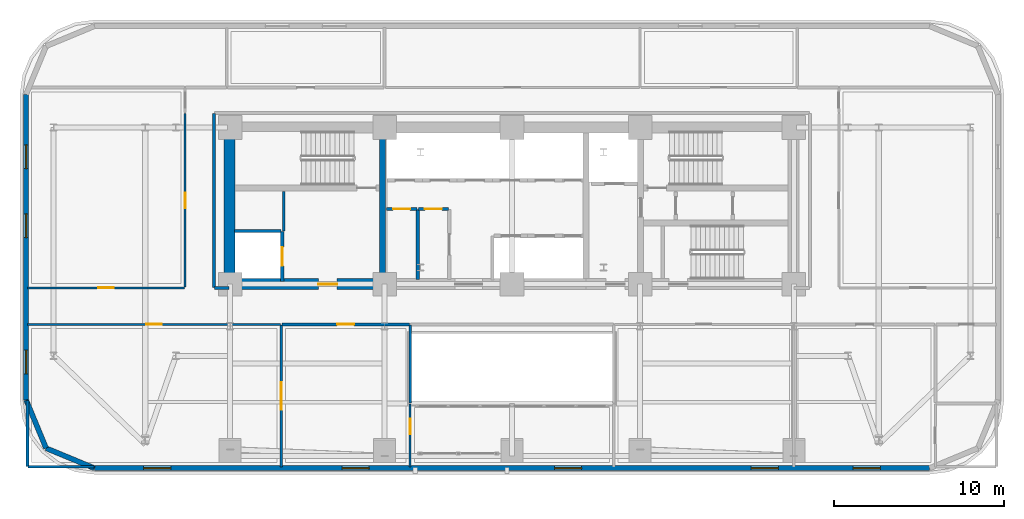
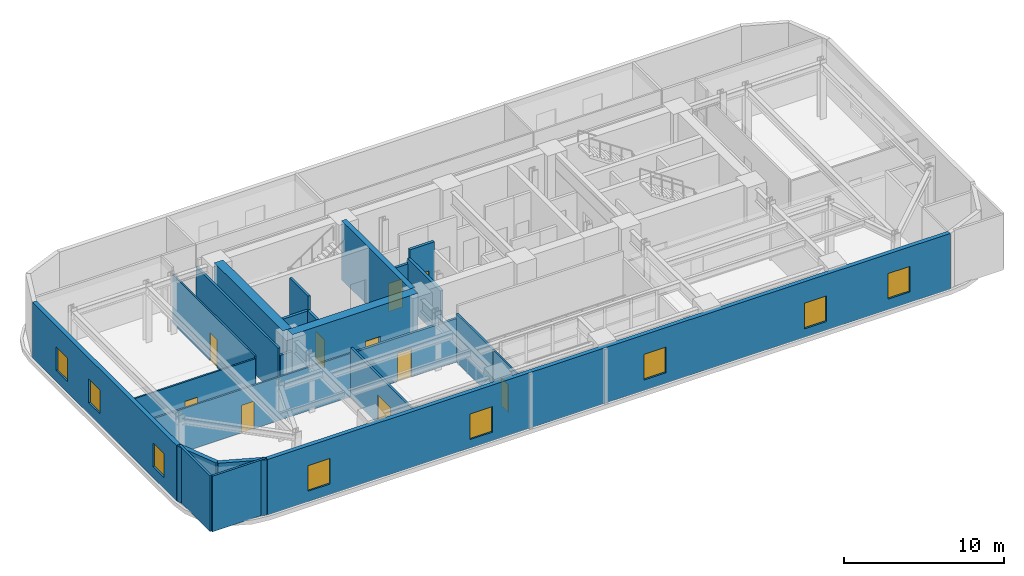
# One storey, part 8 of 14: 24 walls, 10 doors, 8 windows, 18 openings.
"""IFC4 building model written with IfcOpenShell, lengths in metres."""

import ifcopenshell
import ifcopenshell.guid

model = None  # the IFC model being written
_history = None  # IfcOwnerHistory: only IFC2X3 demands one
_inside = {}  # id of a spatial element -> (the spatial element, [elements in it])
_under = {}  # id of a project, library or spatial element -> (it, [spatial elements below it])
_declared = {}  # id of a project -> (the project, [libraries it declares])
_typed = {}  # id of a type object -> (the type object, [elements of that type])
_made_of = {}  # id of a material, layer set ... -> (it, [elements and type objects made of it])


def new_model(schema):
    """Start an empty IFC model of exactly this schema.

    Asked for "IFC4X3", IfcOpenShell would pick the latest addendum, in which some entities
    have other attributes; the version numbers below select the first issue.
    IFC2X3 requires an IfcOwnerHistory on every rooted entity: one is made here for all.
    """
    global model, _history
    if schema == "IFC4X3":
        model = ifcopenshell.file(schema_version=(4, 3, 0, 0))
    else:
        model = ifcopenshell.file(schema=schema)
    _inside.clear()
    _under.clear()
    _declared.clear()
    _typed.clear()
    _made_of.clear()
    _history = None
    if model.schema == "IFC2X3":
        org = make("IfcOrganization", Name="unknown")
        user = make(
            "IfcPersonAndOrganization",
            ThePerson=make("IfcPerson", FamilyName="unknown"),
            TheOrganization=org,
        )
        app = make(
            "IfcApplication",
            ApplicationDeveloper=org,
            Version="unknown",
            ApplicationFullName="unknown",
            ApplicationIdentifier="unknown",
        )
        _history = make(
            "IfcOwnerHistory",
            OwningUser=user,
            OwningApplication=app,
            ChangeAction="ADDED",
            CreationDate=0,
        )
    return model


def make(cls, **values):
    """One entity of the class cls with the attributes given. An attribute that is None is left unset."""
    return model.create_entity(
        cls, **{name: value for name, value in values.items() if value is not None}
    )


def rooted(cls, **values):
    """An entity with a GlobalId (a new one), such as an element, a storey or a relation."""
    return make(cls, GlobalId=ifcopenshell.guid.new(), OwnerHistory=_history, **values)


def si_unit(unit_type, name, prefix=None):
    """IfcSIUnit, for example si_unit("LENGTHUNIT", "METRE", prefix="MILLI")."""
    return make("IfcSIUnit", UnitType=unit_type, Prefix=prefix, Name=name)


def assignment(units):
    """IfcUnitAssignment: the units of a project."""
    return None if units is None else make("IfcUnitAssignment", Units=units)


def point(xyz):
    """IfcCartesianPoint."""
    return None if xyz is None else make("IfcCartesianPoint", Coordinates=xyz)


def direction(xyz):
    """IfcDirection."""
    return None if xyz is None else make("IfcDirection", DirectionRatios=xyz)


def frame(location, z_axis=None, x_axis=None):
    """IfcAxis2Placement3D, a coordinate frame: its origin and axes. An axis left out is left unset."""
    return make(
        "IfcAxis2Placement3D",
        Location=point(location),
        Axis=direction(z_axis),
        RefDirection=direction(x_axis),
    )


def frame_2d(location, x_axis=None):
    """IfcAxis2Placement2D, a coordinate frame in the plane: its origin and x axis."""
    return make(
        "IfcAxis2Placement2D", Location=point(location), RefDirection=direction(x_axis)
    )


def origin():
    """The frame at (0, 0, 0) with its axes left unset."""
    return frame((0.0, 0.0, 0.0))


def place(relative_to, where):
    """IfcLocalPlacement: puts the frame where relative to a parent placement (None: the world)."""
    return make(
        "IfcLocalPlacement", PlacementRelTo=relative_to, RelativePlacement=where
    )


def context(
    kind, dimensions, precision=None, world=None, true_north=None, identifier=None
):
    """IfcGeometricRepresentationContext, for example the 3D "Model" context."""
    return make(
        "IfcGeometricRepresentationContext",
        ContextIdentifier=identifier,
        ContextType=kind,
        CoordinateSpaceDimension=dimensions,
        Precision=precision,
        WorldCoordinateSystem=world,
        TrueNorth=true_north,
    )


def subcontext(parent, identifier, kind, view, scale=None):
    """IfcGeometricRepresentationSubContext, for example "Body" below "Model"."""
    return make(
        "IfcGeometricRepresentationSubContext",
        ContextIdentifier=identifier,
        ContextType=kind,
        ParentContext=parent,
        TargetScale=scale,
        TargetView=view,
    )


def project(units=None, contexts=None):
    """IfcProject with its units and contexts."""
    return rooted(
        "IfcProject",
        Name="project",
        RepresentationContexts=contexts,
        UnitsInContext=assignment(units),
    )


def spatial(cls, under=None, at=None, **own):
    """A site, building, storey or space (cls), placed at a placement, below another one or the project."""
    s = rooted(cls, ObjectPlacement=at, **own)
    if under is not None:
        _under.setdefault(under.id(), (under, []))[1].append(s)
    return s


def profile(cls, at=None, kind="AREA", **sizes):
    """A parametric profile (cls). Its sizes go by their IFC names, for example OverallWidth=200.0."""
    return make(cls, ProfileType=kind, Position=at, **sizes)


def rectangle(**sizes):
    """IfcRectangleProfileDef."""
    return profile("IfcRectangleProfileDef", **sizes)


def extrude(swept, where, along, depth):
    """IfcExtrudedAreaSolid: the profile swept, set in the frame where, extruded along a direction by depth."""
    return make(
        "IfcExtrudedAreaSolid",
        SweptArea=swept,
        Position=where,
        ExtrudedDirection=direction(along),
        Depth=depth,
    )


def shape(context_of_items, identifier, shape_type, items):
    """IfcShapeRepresentation: the items that make up one representation, for example the "Body"."""
    return make(
        "IfcShapeRepresentation",
        ContextOfItems=context_of_items,
        RepresentationIdentifier=identifier,
        RepresentationType=shape_type,
        Items=items,
    )


def material(Name=None, Category=None):
    """IfcMaterial."""
    return make("IfcMaterial", Name=Name, Category=Category)


def layer(
    of_material, thickness, ventilated=None, Name=None, Category=None, Priority=None
):
    """IfcMaterialLayer: one layer of a wall or slab, of a material (None: an air gap)."""
    return make(
        "IfcMaterialLayer",
        Material=of_material,
        LayerThickness=thickness,
        IsVentilated=ventilated,
        Name=Name,
        Category=Category,
        Priority=Priority,
    )


def layer_set(layers, Name=None):
    """IfcMaterialLayerSet."""
    return make("IfcMaterialLayerSet", MaterialLayers=layers, LayerSetName=Name)


def made_of(thing, what):
    """Note that an element or type object is made of a material, layer set ...; save() writes the relation."""
    if what is not None:
        _made_of.setdefault(what.id(), (what, []))[1].append(thing)
    return thing


def type_object(cls, material=None, **own):
    """A type object (cls), such as IfcWallType, which elements share."""
    return made_of(rooted(cls, **own), material)


def element(
    cls,
    number,
    at=None,
    inside=None,
    cuts=None,
    type_object=None,
    material=None,
    context=None,
    identifier="Body",
    shape_type=None,
    held_by="IfcProductDefinitionShape",
    body=None,
    shapes=None,
    **own,
):
    """One element of the class cls, such as IfcWall. Its Tag is "e" and its number.

    at: its placement. inside: the storey or other place that contains it. cuts: it is an
    opening in that element (IfcRelVoidsElement). A single representation is given by context,
    identifier, shape_type and body (its items); several are given by shapes. held_by: the class
    of the entity that holds the representations. save() writes the other relations.
    """
    e = rooted(cls, Tag="e%d" % number, ObjectPlacement=at, **own)
    if body is not None:
        shapes = [shape(context, identifier, shape_type, body)]
    if shapes is not None:
        e.Representation = make(held_by, Representations=shapes)
    if inside is not None:
        _inside.setdefault(inside.id(), (inside, []))[1].append(e)
    if cuts is not None:
        rooted(
            "IfcRelVoidsElement", RelatingBuildingElement=cuts, RelatedOpeningElement=e
        )
    if type_object is not None:
        _typed.setdefault(type_object.id(), (type_object, []))[1].append(e)
    return made_of(e, material)


def fill(opening, filler):
    """IfcRelFillsElement: the door or window that sits in an opening."""
    return rooted(
        "IfcRelFillsElement",
        RelatingOpeningElement=opening,
        RelatedBuildingElement=filler,
    )


def aggregate(whole, parts):
    """IfcRelAggregates: a whole, such as a stair, and the parts it consists of."""
    return rooted("IfcRelAggregates", RelatingObject=whole, RelatedObjects=parts)


def save(model, path):
    """Write the relations noted so far, then the file.

    IfcRelAggregates (storeys below a building ...), IfcRelContainedInSpatialStructure (elements
    in a storey), IfcRelDefinesByType, IfcRelAssociatesMaterial and IfcRelDeclares: one each for
    every whole, place, type object, material and project.
    """
    for whole, parts in _under.values():
        aggregate(whole, parts)
    for where, things in _inside.values():
        rooted(
            "IfcRelContainedInSpatialStructure",
            RelatedElements=things,
            RelatingStructure=where,
        )
    for kind, things in _typed.values():
        rooted("IfcRelDefinesByType", RelatedObjects=things, RelatingType=kind)
    for what, things in _made_of.values():
        rooted("IfcRelAssociatesMaterial", RelatedObjects=things, RelatingMaterial=what)
    for by, libraries in _declared.values():
        rooted("IfcRelDeclares", RelatingContext=by, RelatedDefinitions=libraries)
    model.write(path)


model = new_model("IFC4")

# Units and contexts
model_context = context("Model", 3, precision=1e-05, world=origin(), true_north=direction((0.0, 1.0)))
body_context = subcontext(model_context, "Body", "Model", "MODEL_VIEW")
ifc_project = project(units=[si_unit("LENGTHUNIT", "METRE"), si_unit("AREAUNIT", "SQUARE_METRE"), si_unit("VOLUMEUNIT", "CUBIC_METRE"), si_unit("PLANEANGLEUNIT", "RADIAN"), si_unit("MASSUNIT", "GRAM", prefix="KILO")], contexts=[model_context])

# Site, building, storey
site_placement = place(None, origin())
site = spatial("IfcSite", under=ifc_project, at=site_placement, CompositionType="ELEMENT")
building_placement = place(site_placement, origin())
building = spatial("IfcBuilding", under=site, at=building_placement, Name="Zarnavel Station Tower", CompositionType="ELEMENT")
storey_placement = place(building_placement, frame((0.0, 0.0, 89.800048828125)))
storey = spatial("IfcBuildingStorey", under=building, at=storey_placement, Name="L24", CompositionType="ELEMENT", Elevation=89.800048828125)

# Wall
ifc_material_1 = material(Name="Concrete C50/60", Category="concrete")
ifc_layer_1 = layer(ifc_material_1, 0.35009765625)
ifc_layer_set_1 = layer_set([ifc_layer_1], Name="CW_350")
wall_type_1 = type_object("IfcWallType", Name="CW_350", PredefinedType="SHEAR", material=ifc_layer_set_1)
wall_1_placement = place(storey_placement, frame((21.179931640625, 28.14501953125, 0.0), z_axis=(0.0, 0.0, 1.0), x_axis=(0.0, 1.0, 0.0)))
element("IfcWall", 1, at=wall_1_placement, inside=storey, type_object=wall_type_1, Name="L24 Rear Core Shear Wall DIV-W", PredefinedType="SHEAR", context=body_context, shape_type="SweptSolid", body=[
    extrude(rectangle(XDim=8.580078125, YDim=0.35009765625, at=frame_2d((4.2900390625, 0.0))), origin(), (0.0, 0.0, 1.0), 4.5),
])

# Wall, opening, door
ifc_material_2 = material(Name="Concrete C60/75", Category="concrete")
ifc_layer_2 = layer(ifc_material_2, 0.64990234375)
ifc_layer_set_2 = layer_set([ifc_layer_2], Name="CW_650")
wall_type_2 = type_object("IfcWallType", Name="CW_650", PredefinedType="SHEAR", material=ifc_layer_set_2)
wall_2_placement = place(storey_placement, frame((21.179931640625, 27.820068359375, 0.0), z_axis=(0.0, 0.0, 1.0), x_axis=(-1.0, 0.0, 0.0)))
wall_2 = element("IfcWall", 2, at=wall_2_placement, inside=storey, type_object=wall_type_2, Name="L24 Rear Core Shear Wall S-W", PredefinedType="SHEAR", context=body_context, shape_type="SweptSolid", body=[
    extrude(rectangle(XDim=9.030029296875, YDim=0.64990234375, at=frame_2d((4.51513671875, 0.0))), origin(), (0.0, 0.0, 1.0), 4.5),
])
opening_1_placement = place(wall_2_placement, frame((2.679931640625, 0.0, 0.0)))
opening_1 = element("IfcOpeningElement", 3, at=opening_1_placement, cuts=wall_2, Name="Opening FD01", PredefinedType="OPENING", context=body_context, shape_type="SweptSolid", body=[
    extrude(rectangle(XDim=1.10009765625, YDim=2.14990234375, at=frame_2d((0.550048828125, 1.074951171875))), frame((0.0, 0.3349609375, 0.0), z_axis=(0.0, -1.0, 0.0), x_axis=(1.0, 0.0, 0.0)), (0.0, 0.0, 1.0), 0.669921875),
])
ifc_material_3 = material(Name="Painted Galvanised Steel and Hardwood Leaf", Category="steel")
door_type_1 = type_object("IfcDoorType", Name="ID_STAIR_1100", OperationType="NOTDEFINED", PredefinedType="DOOR", material=ifc_material_3)
door_1_placement = place(opening_1_placement, origin())
door_1 = element("IfcDoor", 4, at=door_1_placement, inside=storey, type_object=door_type_1, Name="L24 West Firefighting Lobby Door", OperationType="SINGLE_SWING_RIGHT", OverallHeight=2.14990234375, OverallWidth=1.10009765625, PredefinedType="DOOR", context=body_context, shape_type="SweptSolid", body=[
    extrude(rectangle(XDim=1.10009765625, YDim=2.14990234375, at=frame_2d((0.550048828125, 1.074951171875))), frame((0.0, 0.02490234375, 0.0), z_axis=(0.0, -1.0, 0.0), x_axis=(1.0, 0.0, 0.0)), (0.0, 0.0, 1.0), 0.050048828125),
])
fill(opening_1, door_1)

# Wall
wall_3_placement = place(storey_placement, frame((12.14990234375, 28.14501953125, 0.0), z_axis=(0.0, 0.0, 1.0), x_axis=(0.0, 1.0, 0.0)))
element("IfcWall", 5, at=wall_3_placement, inside=storey, type_object=wall_type_2, Name="L24 Rear Core Shear Wall W", PredefinedType="SHEAR", context=body_context, shape_type="SweptSolid", body=[
    extrude(rectangle(XDim=8.580078125, YDim=0.64990234375, at=frame_2d((4.2900390625, 0.0))), origin(), (0.0, 0.0, 1.0), 4.5),
])

# Wall, openings, windows
ifc_material_4 = material(Name="Precast concrete C45/55 (Dark Basalt Finish)", Category="masonry")
ifc_layer_3 = layer(ifc_material_4, 0.300048828125)
ifc_layer_set_3 = layer_set([ifc_layer_3], Name="EW_BASALT_300")
wall_type_3 = type_object("IfcWallType", Name="EW_BASALT_300", PredefinedType="SOLIDWALL", material=ifc_layer_set_3)
wall_4_placement = place(storey_placement, frame((0.179931640625, 21.0, 0.0), z_axis=(0.0, 0.0, 1.0), x_axis=(0.0, 1.0, 0.0)))
wall_4 = element("IfcWall", 6, at=wall_4_placement, inside=storey, type_object=wall_type_3, Name="L24 Exterior Basalt Masonry Frame Wall 09", PredefinedType="SOLIDWALL", context=body_context, shape_type="SweptSolid", body=[
    extrude(rectangle(XDim=18.0, YDim=0.300048828125, at=frame_2d((9.0, 0.0))), origin(), (0.0, 0.0, 1.0), 4.239990234375),
])
opening_2_placement = place(wall_4_placement, frame((1.534912109375, 0.0, 0.85009765625)))
opening_2 = element("IfcOpeningElement", 7, at=opening_2_placement, cuts=wall_4, Name="Opening WN01", PredefinedType="OPENING", context=body_context, shape_type="SweptSolid", body=[
    extrude(rectangle(XDim=1.39990234375, YDim=1.800048828125, at=frame_2d((0.699951171875, 0.89990234375))), frame((0.0, 0.159912109375, 0.0), z_axis=(0.0, -1.0, 0.0), x_axis=(1.0, 0.0, 0.0)), (0.0, 0.0, 1.0), 0.320068359375),
])
opening_3_placement = place(wall_4_placement, frame((9.56005859375, 0.0, 0.85009765625)))
opening_3 = element("IfcOpeningElement", 8, at=opening_3_placement, cuts=wall_4, Name="Opening WN01", PredefinedType="OPENING", context=body_context, shape_type="SweptSolid", body=[
    extrude(rectangle(XDim=1.39990234375, YDim=1.800048828125, at=frame_2d((0.699951171875, 0.89990234375))), frame((0.0, 0.159912109375, 0.0), z_axis=(0.0, -1.0, 0.0), x_axis=(1.0, 0.0, 0.0)), (0.0, 0.0, 1.0), 0.320068359375),
])
opening_4_placement = place(wall_4_placement, frame((13.6201171875, 0.0, 0.85009765625)))
opening_4 = element("IfcOpeningElement", 9, at=opening_4_placement, cuts=wall_4, Name="Opening WN01", PredefinedType="OPENING", context=body_context, shape_type="SweptSolid", body=[
    extrude(rectangle(XDim=1.39990234375, YDim=1.800048828125, at=frame_2d((0.699951171875, 0.89990234375))), frame((0.0, 0.159912109375, 0.0), z_axis=(0.0, -1.0, 0.0), x_axis=(1.0, 0.0, 0.0)), (0.0, 0.0, 1.0), 0.320068359375),
])
ifc_material_5 = material(Name="Thermally Broken Black Aluminium and Low-E Dark Glass", Category="aluminium")
window_type_1 = type_object("IfcWindowType", Name="WN_1400x1800", PartitioningType="DOUBLE_PANEL_VERTICAL", PredefinedType="WINDOW", material=ifc_material_5)
window_1_placement = place(opening_2_placement, origin())
window_1 = element("IfcWindow", 10, at=window_1_placement, inside=storey, type_object=window_type_1, Name="L24 Recessed Facade Window 01", OverallHeight=1.800048828125, OverallWidth=1.39990234375, PartitioningType="SINGLE_PANEL", PredefinedType="WINDOW", context=body_context, shape_type="SweptSolid", body=[
    extrude(rectangle(XDim=1.39990234375, YDim=1.800048828125, at=frame_2d((0.699951171875, 0.89990234375))), frame((0.0, 0.030029296875, 0.0), z_axis=(0.0, -1.0, 0.0), x_axis=(1.0, 0.0, 0.0)), (0.0, 0.0, 1.0), 0.06005859375),
])
fill(opening_2, window_1)
window_2_placement = place(opening_3_placement, origin())
window_2 = element("IfcWindow", 11, at=window_2_placement, inside=storey, type_object=window_type_1, Name="L24 Recessed Facade Window 02", OverallHeight=1.800048828125, OverallWidth=1.39990234375, PartitioningType="SINGLE_PANEL", PredefinedType="WINDOW", context=body_context, shape_type="SweptSolid", body=[
    extrude(rectangle(XDim=1.39990234375, YDim=1.800048828125, at=frame_2d((0.699951171875, 0.89990234375))), frame((0.0, 0.030029296875, 0.0), z_axis=(0.0, -1.0, 0.0), x_axis=(1.0, 0.0, 0.0)), (0.0, 0.0, 1.0), 0.06005859375),
])
fill(opening_3, window_2)
window_3_placement = place(opening_4_placement, origin())
window_3 = element("IfcWindow", 12, at=window_3_placement, inside=storey, type_object=window_type_1, Name="L24 Recessed Facade Window 03", OverallHeight=1.800048828125, OverallWidth=1.39990234375, PartitioningType="SINGLE_PANEL", PredefinedType="WINDOW", context=body_context, shape_type="SweptSolid", body=[
    extrude(rectangle(XDim=1.39990234375, YDim=1.800048828125, at=frame_2d((0.699951171875, 0.89990234375))), frame((0.0, 0.030029296875, 0.0), z_axis=(0.0, -1.0, 0.0), x_axis=(1.0, 0.0, 0.0)), (0.0, 0.0, 1.0), 0.06005859375),
])
fill(opening_4, window_3)

# Walls
for number, where, z_axis, x_axis, name in (
    (13, (1.357421875, 18.157470703125, 0.0), (0.0, 0.0, 1.0), (-0.382704529509, 0.923870793506, 0.0), "L24 Exterior Basalt Masonry Frame Wall 10"),
    (14, (4.199951171875, 16.97998046875, 0.0), (0.0, 0.0, 1.0), (-0.923870793506, 0.382704529509, 0.0), "L24 Exterior Basalt Masonry Frame Wall 11"),
):
    element("IfcWall", number, at=place(storey_placement, frame(where, z_axis=z_axis, x_axis=x_axis)), inside=storey, type_object=wall_type_3, Name=name, PredefinedType="SOLIDWALL", context=body_context, shape_type="SweptSolid", body=[
        extrude(rectangle(XDim=3.07666015625, YDim=0.300048828125, at=frame_2d((1.538330078125, 0.0))), origin(), (0.0, 0.0, 1.0), 4.239990234375),
    ])

# Wall, openings, windows
wall_5_placement = place(storey_placement, frame((53.39990234375, 16.97998046875, 0.0), z_axis=(0.0, 0.0, 1.0), x_axis=(-1.0, 0.0, 0.0)))
wall_5 = element("IfcWall", 15, at=wall_5_placement, inside=storey, type_object=wall_type_3, Name="L24 Exterior Basalt Masonry Frame Wall 12", PredefinedType="SOLIDWALL", context=body_context, shape_type="SweptSolid", body=[
    extrude(rectangle(XDim=49.199951171875, YDim=0.300048828125, at=frame_2d((24.60009765625, 0.0))), origin(), (0.0, 0.0, 1.0), 4.239990234375),
])
opening_5_placement = place(wall_5_placement, frame((44.6953125, 0.0, 0.800048828125)))
opening_5 = element("IfcOpeningElement", 16, at=opening_5_placement, cuts=wall_5, Name="Opening WN06", PredefinedType="OPENING", context=body_context, shape_type="SweptSolid", body=[
    extrude(rectangle(XDim=1.60009765625, YDim=1.949951171875, at=frame_2d((0.800048828125, 0.97509765625))), frame((0.0, 0.159912109375, 0.0), z_axis=(0.0, -1.0, 0.0), x_axis=(1.0, 0.0, 0.0)), (0.0, 0.0, 1.0), 0.320068359375),
])
opening_6_placement = place(wall_5_placement, frame((33.010498046875, 0.0, 0.64990234375)))
opening_6 = element("IfcOpeningElement", 17, at=opening_6_placement, cuts=wall_5, Name="Opening WN06", PredefinedType="OPENING", context=body_context, shape_type="SweptSolid", body=[
    extrude(rectangle(XDim=1.60009765625, YDim=1.949951171875, at=frame_2d((0.800048828125, 0.97509765625))), frame((0.0, 0.159912109375, 0.0), z_axis=(0.0, -1.0, 0.0), x_axis=(1.0, 0.0, 0.0)), (0.0, 0.0, 1.0), 0.320068359375),
])
opening_7_placement = place(wall_5_placement, frame((20.494873046875, 0.0, 0.800048828125)))
opening_7 = element("IfcOpeningElement", 18, at=opening_7_placement, cuts=wall_5, Name="Opening WN06", PredefinedType="OPENING", context=body_context, shape_type="SweptSolid", body=[
    extrude(rectangle(XDim=1.60009765625, YDim=1.949951171875, at=frame_2d((0.800048828125, 0.97509765625))), frame((0.0, 0.159912109375, 0.0), z_axis=(0.0, -1.0, 0.0), x_axis=(1.0, 0.0, 0.0)), (0.0, 0.0, 1.0), 0.320068359375),
])
opening_8_placement = place(wall_5_placement, frame((8.910400390625, 0.0, 0.64990234375)))
opening_8 = element("IfcOpeningElement", 19, at=opening_8_placement, cuts=wall_5, Name="Opening WN06", PredefinedType="OPENING", context=body_context, shape_type="SweptSolid", body=[
    extrude(rectangle(XDim=1.60009765625, YDim=1.949951171875, at=frame_2d((0.800048828125, 0.97509765625))), frame((0.0, 0.159912109375, 0.0), z_axis=(0.0, -1.0, 0.0), x_axis=(1.0, 0.0, 0.0)), (0.0, 0.0, 1.0), 0.320068359375),
])
opening_9_placement = place(wall_5_placement, frame((2.90478515625, 0.0, 0.800048828125)))
opening_9 = element("IfcOpeningElement", 20, at=opening_9_placement, cuts=wall_5, Name="Opening WN06", PredefinedType="OPENING", context=body_context, shape_type="SweptSolid", body=[
    extrude(rectangle(XDim=1.60009765625, YDim=1.949951171875, at=frame_2d((0.800048828125, 0.97509765625))), frame((0.0, 0.159912109375, 0.0), z_axis=(0.0, -1.0, 0.0), x_axis=(1.0, 0.0, 0.0)), (0.0, 0.0, 1.0), 0.320068359375),
])
ifc_material_6 = material(Name="Thermally Broken Black Aluminium and Low-E Dark Glass", Category="aluminium")
window_type_2 = type_object("IfcWindowType", Name="WN_1600x1950", PartitioningType="DOUBLE_PANEL_VERTICAL", PredefinedType="WINDOW", material=ifc_material_6)
window_4_placement = place(opening_5_placement, origin())
window_4 = element("IfcWindow", 21, at=window_4_placement, inside=storey, type_object=window_type_2, Name="L24 Recessed Facade Window 01", OverallHeight=1.949951171875, OverallWidth=1.60009765625, PartitioningType="SINGLE_PANEL", PredefinedType="WINDOW", context=body_context, shape_type="SweptSolid", body=[
    extrude(rectangle(XDim=1.60009765625, YDim=1.949951171875, at=frame_2d((0.800048828125, 0.97509765625))), frame((0.0, 0.030029296875, 0.0), z_axis=(0.0, -1.0, 0.0), x_axis=(1.0, 0.0, 0.0)), (0.0, 0.0, 1.0), 0.06005859375),
])
fill(opening_5, window_4)
window_5_placement = place(opening_6_placement, origin())
window_5 = element("IfcWindow", 22, at=window_5_placement, inside=storey, type_object=window_type_2, Name="L24 Recessed Facade Window 02", OverallHeight=1.949951171875, OverallWidth=1.60009765625, PartitioningType="SINGLE_PANEL", PredefinedType="WINDOW", context=body_context, shape_type="SweptSolid", body=[
    extrude(rectangle(XDim=1.60009765625, YDim=1.949951171875, at=frame_2d((0.800048828125, 0.97509765625))), frame((0.0, 0.030029296875, 0.0), z_axis=(0.0, -1.0, 0.0), x_axis=(1.0, 0.0, 0.0)), (0.0, 0.0, 1.0), 0.06005859375),
])
fill(opening_6, window_5)
window_6_placement = place(opening_7_placement, origin())
window_6 = element("IfcWindow", 23, at=window_6_placement, inside=storey, type_object=window_type_2, Name="L24 Recessed Facade Window 03", OverallHeight=1.949951171875, OverallWidth=1.60009765625, PartitioningType="SINGLE_PANEL", PredefinedType="WINDOW", context=body_context, shape_type="SweptSolid", body=[
    extrude(rectangle(XDim=1.60009765625, YDim=1.949951171875, at=frame_2d((0.800048828125, 0.97509765625))), frame((0.0, 0.030029296875, 0.0), z_axis=(0.0, -1.0, 0.0), x_axis=(1.0, 0.0, 0.0)), (0.0, 0.0, 1.0), 0.06005859375),
])
fill(opening_7, window_6)
window_7_placement = place(opening_8_placement, origin())
window_7 = element("IfcWindow", 24, at=window_7_placement, inside=storey, type_object=window_type_2, Name="L24 Recessed Facade Window 04", OverallHeight=1.949951171875, OverallWidth=1.60009765625, PartitioningType="SINGLE_PANEL", PredefinedType="WINDOW", context=body_context, shape_type="SweptSolid", body=[
    extrude(rectangle(XDim=1.60009765625, YDim=1.949951171875, at=frame_2d((0.800048828125, 0.97509765625))), frame((0.0, 0.030029296875, 0.0), z_axis=(0.0, -1.0, 0.0), x_axis=(1.0, 0.0, 0.0)), (0.0, 0.0, 1.0), 0.06005859375),
])
fill(opening_8, window_7)
window_8_placement = place(opening_9_placement, origin())
window_8 = element("IfcWindow", 25, at=window_8_placement, inside=storey, type_object=window_type_2, Name="L24 Recessed Facade Window 05", OverallHeight=1.949951171875, OverallWidth=1.60009765625, PartitioningType="SINGLE_PANEL", PredefinedType="WINDOW", context=body_context, shape_type="SweptSolid", body=[
    extrude(rectangle(XDim=1.60009765625, YDim=1.949951171875, at=frame_2d((0.800048828125, 0.97509765625))), frame((0.0, 0.030029296875, 0.0), z_axis=(0.0, -1.0, 0.0), x_axis=(1.0, 0.0, 0.0)), (0.0, 0.0, 1.0), 0.06005859375),
])
fill(opening_9, window_8)

# Wall, opening, door
ifc_material_7 = material(Name="Gypsum Twin-Stud Acoustic Fire Partition", Category="concrete")
ifc_layer_4 = layer(ifc_material_7, 0.159912109375)
ifc_layer_set_4 = layer_set([ifc_layer_4], Name="PT_DEMISE_160")
wall_type_4 = type_object("IfcWallType", Name="PT_DEMISE_160", PredefinedType="PARTITIONING", material=ifc_layer_set_4)
wall_6_placement = place(storey_placement, frame((15.239990234375, 25.449951171875, 0.0), z_axis=(0.0, 0.0, 1.0), x_axis=(1.0, 0.0, 0.0)))
wall_6 = element("IfcWall", 26, at=wall_6_placement, inside=storey, type_object=wall_type_4, Name="L24 Partition SLCOR-S-SLLNG", PredefinedType="PARTITIONING", context=body_context, shape_type="SweptSolid", body=[
    extrude(rectangle(XDim=7.52001953125, YDim=0.159912109375, at=frame_2d((3.760009765625, 0.0))), origin(), (0.0, 0.0, 1.0), 3.31005859375),
])
opening_10_placement = place(wall_6_placement, frame((3.260009765625, 0.0, 0.0)))
opening_10 = element("IfcOpeningElement", 27, at=opening_10_placement, cuts=wall_6, Name="Opening FD02", PredefinedType="OPENING", context=body_context, shape_type="SweptSolid", body=[
    extrude(rectangle(XDim=1.0, YDim=2.14990234375, at=frame_2d((0.5, 1.074951171875))), frame((0.0, 0.08984375, 0.0), z_axis=(0.0, -1.0, 0.0), x_axis=(1.0, 0.0, 0.0)), (0.0, 0.0, 1.0), 0.179931640625),
])
ifc_material_8 = material(Name="Painted Galvanised Steel and Hardwood Leaf", Category="steel")
door_type_2 = type_object("IfcDoorType", Name="ID_ENTRY_1000", OperationType="NOTDEFINED", PredefinedType="DOOR", material=ifc_material_8)
door_2_placement = place(opening_10_placement, origin())
door_2 = element("IfcDoor", 28, at=door_2_placement, inside=storey, type_object=door_type_2, Name="L24 Door SLCOR-S-SLLNG", OperationType="SINGLE_SWING_RIGHT", OverallHeight=2.14990234375, OverallWidth=1.0, PredefinedType="DOOR", context=body_context, shape_type="SweptSolid", body=[
    extrude(rectangle(XDim=1.0, YDim=2.14990234375, at=frame_2d((0.5, 1.074951171875))), frame((0.0, 0.02490234375, 0.0), z_axis=(0.0, -1.0, 0.0), x_axis=(1.0, 0.0, 0.0)), (0.0, 0.0, 1.0), 0.050048828125),
])
fill(opening_10, door_2)

wall_7_placement = place(storey_placement, frame((15.199951171875, 17.06005859375, 0.0), z_axis=(0.0, 0.0, 1.0), x_axis=(0.0, 1.0, 0.0)))
wall_7 = element("IfcWall", 29, at=wall_7_placement, inside=storey, type_object=wall_type_4, Name="L24 Partition SLREC-SLLNG", PredefinedType="PARTITIONING", context=body_context, shape_type="SweptSolid", body=[
    extrude(rectangle(XDim=8.349853515625, YDim=0.159912109375, at=frame_2d((4.1748046875, 0.0))), origin(), (0.0, 0.0, 1.0), 3.719970703125),
])
opening_11_placement = place(wall_7_placement, frame((3.375, 0.0, 0.0)))
opening_11 = element("IfcOpeningElement", 30, at=opening_11_placement, cuts=wall_7, Name="Opening ID03", PredefinedType="OPENING", context=body_context, shape_type="SweptSolid", body=[
    extrude(rectangle(XDim=1.60009765625, YDim=2.199951171875, at=frame_2d((0.800048828125, 1.10009765625))), frame((0.0, 0.08984375, 0.0), z_axis=(0.0, -1.0, 0.0), x_axis=(1.0, 0.0, 0.0)), (0.0, 0.0, 1.0), 0.179931640625),
])
ifc_material_9 = material(Name="Painted Galvanised Steel and Hardwood Leaf", Category="steel")
door_type_3 = type_object("IfcDoorType", Name="ID_PUBLIC_1600", OperationType="DOUBLE_DOOR_SINGLE_SWING", PredefinedType="DOOR", material=ifc_material_9)
door_3_placement = place(opening_11_placement, origin())
door_3 = element("IfcDoor", 31, at=door_3_placement, inside=storey, type_object=door_type_3, Name="L24 Door SLREC-SLLNG", OperationType="SINGLE_SWING_LEFT", OverallHeight=2.199951171875, OverallWidth=1.60009765625, PredefinedType="DOOR", context=body_context, shape_type="SweptSolid", body=[
    extrude(rectangle(XDim=1.60009765625, YDim=2.199951171875, at=frame_2d((0.800048828125, 1.10009765625))), frame((0.0, 0.02490234375, 0.0), z_axis=(0.0, -1.0, 0.0), x_axis=(1.0, 0.0, 0.0)), (0.0, 0.0, 1.0), 0.050048828125),
])
fill(opening_11, door_3)

# Walls
wall_8_placement = place(storey_placement, frame((15.35009765625, 30.9599609375, 0.0), z_axis=(0.0, 0.0, 1.0), x_axis=(0.0, 1.0, 0.0)))
element("IfcWall", 32, at=wall_8_placement, inside=storey, type_object=wall_type_4, Name="L24 Enclosure Wall FFL1", PredefinedType="PARTITIONING", context=body_context, shape_type="SweptSolid", body=[
    extrude(rectangle(XDim=2.31005859375, YDim=0.159912109375, at=frame_2d((1.155029296875, 0.0))), origin(), (0.0, 0.0, 1.0), 4.239990234375),
])
wall_9_placement = place(storey_placement, frame((11.280029296875, 27.60009765625, 0.0), z_axis=(0.0, 0.0, 1.0), x_axis=(1.0, 0.0, 0.0)))
element("IfcWall", 33, at=wall_9_placement, inside=storey, type_object=wall_type_4, Name="L24 Enclosure Wall SLCOR-S", PredefinedType="PARTITIONING", context=body_context, shape_type="SweptSolid", body=[
    extrude(rectangle(XDim=0.840087890625, YDim=0.159912109375, at=frame_2d((0.419921875, 0.0))), origin(), (0.0, 0.0, 1.0), 3.2119140625),
])
wall_10_placement = place(storey_placement, frame((11.25, 27.6298828125, 0.0), z_axis=(0.0, 0.0, 1.0), x_axis=(0.0, 1.0, 0.0)))
element("IfcWall", 34, at=wall_10_placement, inside=storey, type_object=wall_type_4, Name="L24 Enclosure Wall SLCOR-W", PredefinedType="PARTITIONING", context=body_context, shape_type="SweptSolid", body=[
    extrude(rectangle(XDim=10.240234375, YDim=0.159912109375, at=frame_2d((5.1201171875, 0.0))), origin(), (0.0, 0.0, 1.0), 3.719970703125),
])
for number, where, z_axis, x_axis, name in (
    (35, (0.2900390625, 17.06005859375, 0.0), (0.0, 0.0, 1.0), (1.0, 0.0, 0.0), "L24 Enclosure Wall SLREC"),
    (36, (0.260009765625, 17.090087890625, 0.0), (0.0, 0.0, 1.0), (0.0, 1.0, 0.0), "L24 Enclosure Wall SLREC"),
):
    element("IfcWall", number, at=place(storey_placement, frame(where, z_axis=z_axis, x_axis=x_axis)), inside=storey, type_object=wall_type_4, Name=name, PredefinedType="PARTITIONING", context=body_context, shape_type="SweptSolid", body=[
        extrude(rectangle(XDim=3.8798828125, YDim=0.159912109375, at=frame_2d((1.93994140625, 0.0))), origin(), (0.0, 0.0, 1.0), 4.239990234375),
    ])
wall_11_placement = place(storey_placement, frame((22.800048828125, 20.830078125, 0.0), z_axis=(0.0, 0.0, 1.0), x_axis=(0.0, 1.0, 0.0)))
element("IfcWall", 37, at=wall_11_placement, inside=storey, type_object=wall_type_4, Name="L24 Enclosure Wall SLLNG", PredefinedType="PARTITIONING", context=body_context, shape_type="SweptSolid", body=[
    extrude(rectangle(XDim=4.58984375, YDim=0.159912109375, at=frame_2d((2.294921875, 0.0))), origin(), (0.0, 0.0, 1.0), 3.679931640625),
])

# Wall, opening, door
ifc_material_10 = material(Name="Gypsum Metal-Stud Interior Partition", Category="concrete")
ifc_layer_5 = layer(ifc_material_10, 0.1201171875)
ifc_layer_set_5 = layer_set([ifc_layer_5], Name="PT_ROOM_120")
wall_type_5 = type_object("IfcWallType", Name="PT_ROOM_120", PredefinedType="PARTITIONING", material=ifc_layer_set_5)
wall_12_placement = place(storey_placement, frame((0.260009765625, 25.449951171875, 0.0), z_axis=(0.0, 0.0, 1.0), x_axis=(1.0, 0.0, 0.0)))
wall_12 = element("IfcWall", 38, at=wall_12_placement, inside=storey, type_object=wall_type_5, Name="L24 Partition SLCOR-S-SLREC", PredefinedType="PARTITIONING", context=body_context, shape_type="SweptSolid", body=[
    extrude(rectangle(XDim=14.89990234375, YDim=0.1201171875, at=frame_2d((7.449951171875, 0.0))), origin(), (0.0, 0.0, 1.0), 3.31005859375),
])
opening_12_placement = place(wall_12_placement, frame((7.0, 0.0, 0.0)))
opening_12 = element("IfcOpeningElement", 39, at=opening_12_placement, cuts=wall_12, Name="Opening ID01", PredefinedType="OPENING", context=body_context, shape_type="SweptSolid", body=[
    extrude(rectangle(XDim=0.89990234375, YDim=2.10009765625, at=frame_2d((0.449951171875, 1.050048828125))), frame((0.0, 0.070068359375, 0.0), z_axis=(0.0, -1.0, 0.0), x_axis=(1.0, 0.0, 0.0)), (0.0, 0.0, 1.0), 0.14013671875),
])
ifc_material_11 = material(Name="Painted Galvanised Steel and Hardwood Leaf", Category="steel")
door_type_4 = type_object("IfcDoorType", Name="ID_ROOM_900", OperationType="NOTDEFINED", PredefinedType="DOOR", material=ifc_material_11)
door_4_placement = place(opening_12_placement, origin())
door_4 = element("IfcDoor", 40, at=door_4_placement, inside=storey, type_object=door_type_4, Name="L24 Door SLCOR-S-SLREC", OperationType="SINGLE_SWING_LEFT", OverallHeight=2.10009765625, OverallWidth=0.89990234375, PredefinedType="DOOR", context=body_context, shape_type="SweptSolid", body=[
    extrude(rectangle(XDim=0.89990234375, YDim=2.10009765625, at=frame_2d((0.449951171875, 1.050048828125))), frame((0.0, 0.02490234375, 0.0), z_axis=(0.0, -1.0, 0.0), x_axis=(1.0, 0.0, 0.0)), (0.0, 0.0, 1.0), 0.050048828125),
])
fill(opening_12, door_4)

wall_13_placement = place(storey_placement, frame((0.260009765625, 27.60009765625, 0.0), z_axis=(0.0, 0.0, 1.0), x_axis=(1.0, 0.0, 0.0)))
wall_13 = element("IfcWall", 41, at=wall_13_placement, inside=storey, type_object=wall_type_5, Name="L24 Partition SLCOR-S-SLNW", PredefinedType="PARTITIONING", context=body_context, shape_type="SweptSolid", body=[
    extrude(rectangle(XDim=9.25, YDim=0.1201171875, at=frame_2d((4.625, 0.0))), origin(), (0.0, 0.0, 1.0), 3.570068359375),
])
opening_13_placement = place(wall_13_placement, frame((4.175048828125, 0.0, 0.0)))
opening_13 = element("IfcOpeningElement", 42, at=opening_13_placement, cuts=wall_13, Name="Opening ID01", PredefinedType="OPENING", context=body_context, shape_type="SweptSolid", body=[
    extrude(rectangle(XDim=0.89990234375, YDim=2.10009765625, at=frame_2d((0.449951171875, 1.050048828125))), frame((0.0, 0.070068359375, 0.0), z_axis=(0.0, -1.0, 0.0), x_axis=(1.0, 0.0, 0.0)), (0.0, 0.0, 1.0), 0.14013671875),
])
door_5_placement = place(opening_13_placement, origin())
door_5 = element("IfcDoor", 43, at=door_5_placement, inside=storey, type_object=door_type_4, Name="L24 Door SLCOR-S-SLNW", OperationType="SINGLE_SWING_RIGHT", OverallHeight=2.10009765625, OverallWidth=0.89990234375, PredefinedType="DOOR", context=body_context, shape_type="SweptSolid", body=[
    extrude(rectangle(XDim=0.89990234375, YDim=2.10009765625, at=frame_2d((0.449951171875, 1.050048828125))), frame((0.0, 0.02490234375, 0.0), z_axis=(0.0, -1.0, 0.0), x_axis=(1.0, 0.0, 0.0)), (0.0, 0.0, 1.0), 0.050048828125),
])
fill(opening_13, door_5)

wall_14_placement = place(storey_placement, frame((9.550048828125, 27.639892578125, 0.0), z_axis=(0.0, 0.0, 1.0), x_axis=(0.0, 1.0, 0.0)))
wall_14 = element("IfcWall", 44, at=wall_14_placement, inside=storey, type_object=wall_type_5, Name="L24 Partition SLCOR-W-SLNW", PredefinedType="PARTITIONING", context=body_context, shape_type="SweptSolid", body=[
    extrude(rectangle(XDim=10.22021484375, YDim=0.1201171875, at=frame_2d((5.110107421875, 0.0))), origin(), (0.0, 0.0, 1.0), 3.719970703125),
])
opening_14_placement = place(wall_14_placement, frame((4.659912109375, 0.0, 0.0)))
opening_14 = element("IfcOpeningElement", 45, at=opening_14_placement, cuts=wall_14, Name="Opening ID01", PredefinedType="OPENING", context=body_context, shape_type="SweptSolid", body=[
    extrude(rectangle(XDim=0.89990234375, YDim=2.10009765625, at=frame_2d((0.449951171875, 1.050048828125))), frame((0.0, 0.070068359375, 0.0), z_axis=(0.0, -1.0, 0.0), x_axis=(1.0, 0.0, 0.0)), (0.0, 0.0, 1.0), 0.14013671875),
])
door_6_placement = place(opening_14_placement, origin())
door_6 = element("IfcDoor", 46, at=door_6_placement, inside=storey, type_object=door_type_4, Name="L24 Door SLCOR-W-SLNW", OperationType="SINGLE_SWING_RIGHT", OverallHeight=2.10009765625, OverallWidth=0.89990234375, PredefinedType="DOOR", context=body_context, shape_type="SweptSolid", body=[
    extrude(rectangle(XDim=0.89990234375, YDim=2.10009765625, at=frame_2d((0.449951171875, 1.050048828125))), frame((0.0, 0.02490234375, 0.0), z_axis=(0.0, -1.0, 0.0), x_axis=(1.0, 0.0, 0.0)), (0.0, 0.0, 1.0), 0.050048828125),
])
fill(opening_14, door_6)

wall_15_placement = place(storey_placement, frame((22.800048828125, 17.06005859375, 0.0), z_axis=(0.0, 0.0, 1.0), x_axis=(0.0, 1.0, 0.0)))
wall_15 = element("IfcWall", 47, at=wall_15_placement, inside=storey, type_object=wall_type_5, Name="L24 Partition SLLNG-SLBAR", PredefinedType="PARTITIONING", context=body_context, shape_type="SweptSolid", body=[
    extrude(rectangle(XDim=3.699951171875, YDim=0.1201171875, at=frame_2d((1.85009765625, 0.0))), origin(), (0.0, 0.0, 1.0), 3.679931640625),
])
opening_15_placement = place(wall_15_placement, frame((1.925048828125, 0.0, 0.0)))
opening_15 = element("IfcOpeningElement", 48, at=opening_15_placement, cuts=wall_15, Name="Opening ID01", PredefinedType="OPENING", context=body_context, shape_type="SweptSolid", body=[
    extrude(rectangle(XDim=0.89990234375, YDim=2.10009765625, at=frame_2d((0.449951171875, 1.050048828125))), frame((0.0, 0.070068359375, 0.0), z_axis=(0.0, -1.0, 0.0), x_axis=(1.0, 0.0, 0.0)), (0.0, 0.0, 1.0), 0.14013671875),
])
door_7_placement = place(opening_15_placement, origin())
door_7 = element("IfcDoor", 49, at=door_7_placement, inside=storey, type_object=door_type_4, Name="L24 Door SLLNG-SLBAR", OperationType="SINGLE_SWING_RIGHT", OverallHeight=2.10009765625, OverallWidth=0.89990234375, PredefinedType="DOOR", context=body_context, shape_type="SweptSolid", body=[
    extrude(rectangle(XDim=0.89990234375, YDim=2.10009765625, at=frame_2d((0.449951171875, 1.050048828125))), frame((0.0, 0.02490234375, 0.0), z_axis=(0.0, -1.0, 0.0), x_axis=(1.0, 0.0, 0.0)), (0.0, 0.0, 1.0), 0.050048828125),
])
fill(opening_15, door_7)

ifc_material_12 = material(Name="Precast concrete C45/55 (Fire Shaft Blockwork)", Category="masonry")
ifc_layer_6 = layer(ifc_material_12, 0.199951171875)
ifc_layer_set_6 = layer_set([ifc_layer_6], Name="PT_SHAFT_200")
wall_type_6 = type_object("IfcWallType", Name="PT_SHAFT_200", PredefinedType="PARTITIONING", material=ifc_layer_set_6)
wall_16_placement = place(storey_placement, frame((15.27001953125, 27.969970703125, 0.0), z_axis=(0.0, 0.0, 1.0), x_axis=(0.0, 1.0, 0.0)))
wall_16 = element("IfcWall", 50, at=wall_16_placement, inside=storey, type_object=wall_type_6, Name="L24 Lift FFL-01 Shaft Front Wall", PredefinedType="PARTITIONING", context=body_context, shape_type="SweptSolid", body=[
    extrude(rectangle(XDim=2.9599609375, YDim=0.199951171875, at=frame_2d((1.47998046875, 0.0))), origin(), (0.0, 0.0, 1.0), 3.2119140625),
])
opening_16_placement = place(wall_16_placement, frame((0.929931640625, 0.0, 0.0)))
opening_16 = element("IfcOpeningElement", 51, at=opening_16_placement, cuts=wall_16, Name="Opening LD01", PredefinedType="OPENING", context=body_context, shape_type="SweptSolid", body=[
    extrude(rectangle(XDim=1.10009765625, YDim=2.14990234375, at=frame_2d((0.550048828125, 1.074951171875))), frame((0.0, 0.10986328125, 0.0), z_axis=(0.0, -1.0, 0.0), x_axis=(1.0, 0.0, 0.0)), (0.0, 0.0, 1.0), 0.219970703125),
])
ifc_material_13 = material(Name="Painted Galvanised Steel and Hardwood Leaf", Category="steel")
door_type_5 = type_object("IfcDoorType", Name="LD_FF_1100", OperationType="DOUBLE_DOOR_SLIDING", PredefinedType="DOOR", material=ifc_material_13)
door_8_placement = place(opening_16_placement, origin())
door_8 = element("IfcDoor", 52, at=door_8_placement, inside=storey, type_object=door_type_5, Name="L24 Lift FFL-01 Sliding Landing Door", OperationType="DOUBLE_DOOR_SLIDING", OverallHeight=2.14990234375, OverallWidth=1.10009765625, PredefinedType="DOOR", context=body_context, shape_type="SweptSolid", body=[
    extrude(rectangle(XDim=1.10009765625, YDim=2.14990234375, at=frame_2d((0.550048828125, 1.074951171875))), frame((0.0, 0.02490234375, 0.0), z_axis=(0.0, -1.0, 0.0), x_axis=(1.0, 0.0, 0.0)), (0.0, 0.0, 1.0), 0.050048828125),
])
fill(opening_16, door_8)

# Wall
wall_17_placement = place(storey_placement, frame((12.449951171875, 30.949951171875, 0.0), z_axis=(0.0, 0.0, 1.0), x_axis=(1.0, 0.0, 0.0)))
element("IfcWall", 53, at=wall_17_placement, inside=storey, type_object=wall_type_6, Name="L24 Lift FFL-01 North Shaft Wall", PredefinedType="PARTITIONING", context=body_context, shape_type="SweptSolid", body=[
    extrude(rectangle(XDim=2.75, YDim=0.199951171875, at=frame_2d((1.375, 0.0))), origin(), (0.0, 0.0, 1.0), 3.2119140625),
])

# Wall, opening, door
wall_18_placement = place(storey_placement, frame((21.39990234375, 32.25, 0.0), z_axis=(0.0, 0.0, 1.0), x_axis=(1.0, 0.0, 0.0)))
wall_18 = element("IfcWall", 54, at=wall_18_placement, inside=storey, type_object=wall_type_6, Name="L24 Partition LLOB-CS1", PredefinedType="PARTITIONING", context=body_context, shape_type="SweptSolid", body=[
    extrude(rectangle(XDim=1.81005859375, YDim=0.199951171875, at=frame_2d((0.905029296875, 0.0))), origin(), (0.0, 0.0, 1.0), 3.2119140625),
])
opening_17_placement = place(wall_18_placement, frame((0.405029296875, 0.0, 0.0)))
opening_17 = element("IfcOpeningElement", 55, at=opening_17_placement, cuts=wall_18, Name="Opening FD02", PredefinedType="OPENING", context=body_context, shape_type="SweptSolid", body=[
    extrude(rectangle(XDim=1.0, YDim=2.14990234375, at=frame_2d((0.5, 1.074951171875))), frame((0.0, 0.10986328125, 0.0), z_axis=(0.0, -1.0, 0.0), x_axis=(1.0, 0.0, 0.0)), (0.0, 0.0, 1.0), 0.219970703125),
])
door_9_placement = place(opening_17_placement, origin())
door_9 = element("IfcDoor", 56, at=door_9_placement, inside=storey, type_object=door_type_2, Name="L24 Door LLOB-CS1", OperationType="SINGLE_SWING_RIGHT", OverallHeight=2.14990234375, OverallWidth=1.0, PredefinedType="DOOR", context=body_context, shape_type="SweptSolid", body=[
    extrude(rectangle(XDim=1.0, YDim=2.14990234375, at=frame_2d((0.5, 1.074951171875))), frame((0.0, 0.02490234375, 0.0), z_axis=(0.0, -1.0, 0.0), x_axis=(1.0, 0.0, 0.0)), (0.0, 0.0, 1.0), 0.050048828125),
])
fill(opening_17, door_9)

wall_19_placement = place(storey_placement, frame((23.2900390625, 32.25, 0.0), z_axis=(0.0, 0.0, 1.0), x_axis=(1.0, 0.0, 0.0)))
wall_19 = element("IfcWall", 57, at=wall_19_placement, inside=storey, type_object=wall_type_6, Name="L24 Partition LLOB-CS2", PredefinedType="PARTITIONING", context=body_context, shape_type="SweptSolid", body=[
    extrude(rectangle(XDim=1.77001953125, YDim=0.199951171875, at=frame_2d((0.885009765625, 0.0))), origin(), (0.0, 0.0, 1.0), 4.239990234375),
])
opening_18_placement = place(wall_19_placement, frame((0.385009765625, 0.0, 0.0)))
opening_18 = element("IfcOpeningElement", 58, at=opening_18_placement, cuts=wall_19, Name="Opening FD02", PredefinedType="OPENING", context=body_context, shape_type="SweptSolid", body=[
    extrude(rectangle(XDim=1.0, YDim=2.14990234375, at=frame_2d((0.5, 1.074951171875))), frame((0.0, 0.10986328125, 0.0), z_axis=(0.0, -1.0, 0.0), x_axis=(1.0, 0.0, 0.0)), (0.0, 0.0, 1.0), 0.219970703125),
])
door_10_placement = place(opening_18_placement, origin())
door_10 = element("IfcDoor", 59, at=door_10_placement, inside=storey, type_object=door_type_2, Name="L24 Door LLOB-CS2", OperationType="SINGLE_SWING_LEFT", OverallHeight=2.14990234375, OverallWidth=1.0, PredefinedType="DOOR", context=body_context, shape_type="SweptSolid", body=[
    extrude(rectangle(XDim=1.0, YDim=2.14990234375, at=frame_2d((0.5, 1.074951171875))), frame((0.0, 0.02490234375, 0.0), z_axis=(0.0, -1.0, 0.0), x_axis=(1.0, 0.0, 0.0)), (0.0, 0.0, 1.0), 0.050048828125),
])
fill(opening_18, door_10)

# Wall
wall_20_placement = place(storey_placement, frame((23.25, 28.090087890625, 0.0), z_axis=(0.0, 0.0, 1.0), x_axis=(0.0, 1.0, 0.0)))
element("IfcWall", 60, at=wall_20_placement, inside=storey, type_object=wall_type_6, Name="L24 Partition CS1-CS2", PredefinedType="PARTITIONING", context=body_context, shape_type="SweptSolid", body=[
    extrude(rectangle(XDim=4.119873046875, YDim=0.199951171875, at=frame_2d((2.06005859375, 0.0))), origin(), (0.0, 0.0, 1.0), 3.619873046875),
])

save(model, "model.ifc")
